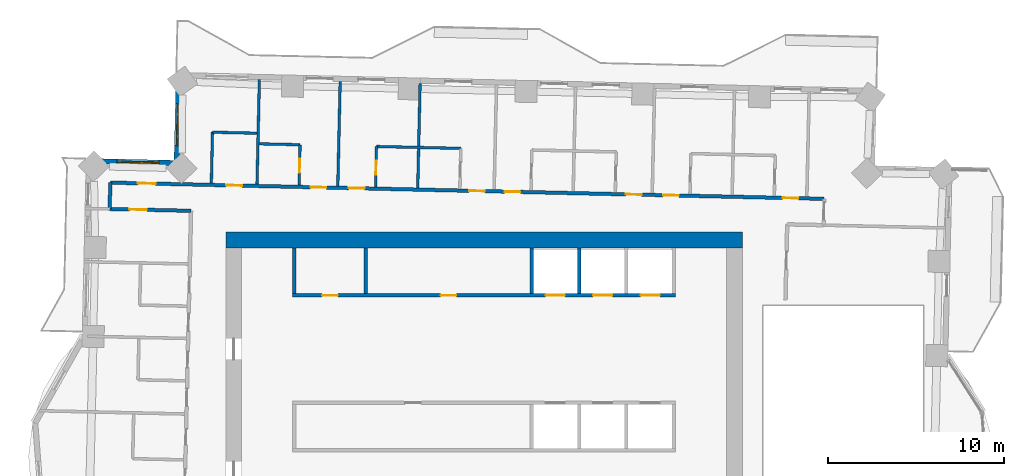
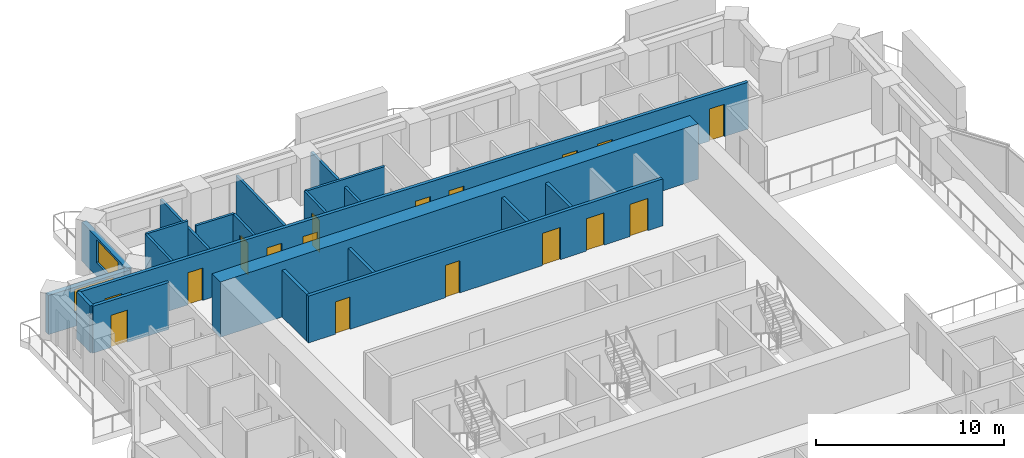
# One storey, part 8 of 14: 20 walls, 17 doors, 2 windows, 19 openings.
"""IFC4 building model written with IfcOpenShell, lengths in metres."""

from ifc_helpers import new_model, si_unit, direction, frame, frame_2d, origin, place, context, subcontext, project, spatial, rectangle, extrude, material, layer, layer_set, type_object, element, fill, save


model = new_model("IFC4")

# Units and contexts
model_context = context("Model", 3, precision=1e-05, world=origin(), true_north=direction((0.0, 1.0)))
body_context = subcontext(model_context, "Body", "Model", "MODEL_VIEW")
ifc_project = project(units=[si_unit("LENGTHUNIT", "METRE"), si_unit("AREAUNIT", "SQUARE_METRE"), si_unit("VOLUMEUNIT", "CUBIC_METRE"), si_unit("PLANEANGLEUNIT", "RADIAN"), si_unit("MASSUNIT", "GRAM", prefix="KILO")], contexts=[model_context])

# Site, building, storey
site_placement = place(None, origin())
site = spatial("IfcSite", under=ifc_project, at=site_placement, CompositionType="ELEMENT")
building_placement = place(site_placement, origin())
building = spatial("IfcBuilding", under=site, at=building_placement, Name="Mangrove Gate Tower", CompositionType="ELEMENT")
storey_placement = place(building_placement, frame((0.0, 0.0, 163.5)))
storey = spatial("IfcBuildingStorey", under=building, at=storey_placement, Name="L41", CompositionType="ELEMENT", Elevation=163.5)

# Walls
ifc_material_1 = material(Name="Concrete C32/40", Category="concrete")
ifc_layer_1 = layer(ifc_material_1, 0.199951171875)
ifc_layer_set_1 = layer_set([ifc_layer_1], Name="Core room wall 200 C32/40")
wall_type_1 = type_object("IfcWallType", Name="Core room wall 200 C32/40", PredefinedType="STANDARD", material=ifc_layer_set_1)
for number, where, z_axis, x_axis, name in (
    (1, (-10.800048828125, 8.199951171875, 0.0), (0.0, 0.0, 1.0), (0.0, 1.0, 0.0), "WALL-L41-CORE-24"),
    (2, (-6.75, 8.199951171875, 0.0), (0.0, 0.0, 1.0), (0.0, 1.0, 0.0), "WALL-L41-CORE-25"),
):
    element("IfcWall", number, at=place(storey_placement, frame(where, z_axis=z_axis, x_axis=x_axis)), inside=storey, type_object=wall_type_1, Name=name, PredefinedType="STANDARD", context=body_context, shape_type="SweptSolid", body=[
        extrude(rectangle(XDim=2.60009765625, YDim=0.199951171875, at=frame_2d((1.300048828125, 0.0))), origin(), (0.0, 0.0, 1.0), 3.050048828125),
    ])

# Wall, openings, doors
ifc_material_2 = material(Name="Concrete C60/75", Category="concrete")
ifc_layer_2 = layer(ifc_material_2, 0.199951171875)
ifc_layer_set_2 = layer_set([ifc_layer_2], Name="Core shaft wall 200 C60/75")
wall_type_2 = type_object("IfcWallType", Name="Core shaft wall 200 C60/75", PredefinedType="SHEAR", material=ifc_layer_set_2)
wall_1_placement = place(storey_placement, frame((-10.89990234375, 8.10009765625, 0.0), z_axis=(0.0, 0.0, 1.0), x_axis=(1.0, 0.0, 0.0)))
wall_1 = element("IfcWall", 3, at=wall_1_placement, inside=storey, type_object=wall_type_2, Name="WALL-L41-CORE-8", PredefinedType="SHEAR", context=body_context, shape_type="SweptSolid", body=[
    extrude(rectangle(XDim=21.7998046875, YDim=0.199951171875, at=frame_2d((10.89990234375, 0.0))), origin(), (0.0, 0.0, 1.0), 3.050048828125),
])
opening_1_placement = place(wall_1_placement, frame((14.39990234375, 0.0, 0.0)))
opening_1 = element("IfcOpeningElement", 4, at=opening_1_placement, cuts=wall_1, Name="Opening LD", PredefinedType="OPENING", context=body_context, shape_type="SweptSolid", body=[
    extrude(rectangle(XDim=1.10009765625, YDim=2.10009765625, at=frame_2d((0.550048828125, 1.050048828125))), frame((0.0, 0.10986328125, 0.0), z_axis=(0.0, -1.0, 0.0), x_axis=(1.0, 0.0, 0.0)), (0.0, 0.0, 1.0), 0.219970703125),
])
opening_2_placement = place(wall_1_placement, frame((17.10009765625, 0.0, 0.0)))
opening_2 = element("IfcOpeningElement", 5, at=opening_2_placement, cuts=wall_1, Name="Opening LD", PredefinedType="OPENING", context=body_context, shape_type="SweptSolid", body=[
    extrude(rectangle(XDim=1.10009765625, YDim=2.10009765625, at=frame_2d((0.550048828125, 1.050048828125))), frame((0.0, 0.10986328125, 0.0), z_axis=(0.0, -1.0, 0.0), x_axis=(1.0, 0.0, 0.0)), (0.0, 0.0, 1.0), 0.219970703125),
])
opening_3_placement = place(wall_1_placement, frame((19.800048828125, 0.0, 0.0)))
opening_3 = element("IfcOpeningElement", 6, at=opening_3_placement, cuts=wall_1, Name="Opening LD", PredefinedType="OPENING", context=body_context, shape_type="SweptSolid", body=[
    extrude(rectangle(XDim=1.10009765625, YDim=2.10009765625, at=frame_2d((0.550048828125, 1.050048828125))), frame((0.0, 0.10986328125, 0.0), z_axis=(0.0, -1.0, 0.0), x_axis=(1.0, 0.0, 0.0)), (0.0, 0.0, 1.0), 0.219970703125),
])
opening_4_placement = place(wall_1_placement, frame((1.675048828125, 0.0, 0.0)))
opening_4 = element("IfcOpeningElement", 7, at=opening_4_placement, cuts=wall_1, Name="Opening KD", PredefinedType="OPENING", context=body_context, shape_type="SweptSolid", body=[
    extrude(rectangle(XDim=0.89990234375, YDim=2.10009765625, at=frame_2d((0.449951171875, 1.050048828125))), frame((0.0, 0.10986328125, 0.0), z_axis=(0.0, -1.0, 0.0), x_axis=(1.0, 0.0, 0.0)), (0.0, 0.0, 1.0), 0.219970703125),
])
opening_5_placement = place(wall_1_placement, frame((8.425048828125, 0.0, 0.0)))
opening_5 = element("IfcOpeningElement", 8, at=opening_5_placement, cuts=wall_1, Name="Opening RD", PredefinedType="OPENING", context=body_context, shape_type="SweptSolid", body=[
    extrude(rectangle(XDim=0.89990234375, YDim=2.10009765625, at=frame_2d((0.449951171875, 1.050048828125))), frame((0.0, 0.10986328125, 0.0), z_axis=(0.0, -1.0, 0.0), x_axis=(1.0, 0.0, 0.0)), (0.0, 0.0, 1.0), 0.219970703125),
])
ifc_material_3 = material(Name="Fire-rated steel door set", Category="steel")
door_type_1 = type_object("IfcDoorType", Name="Core room door FD30S 900x2100", OperationType="SINGLE_SWING_RIGHT", PredefinedType="DOOR", material=ifc_material_3)
door_1_placement = place(opening_4_placement, origin())
door_1 = element("IfcDoor", 9, at=door_1_placement, inside=storey, type_object=door_type_1, Name="Core room door Linen store", OperationType="SINGLE_SWING_RIGHT", OverallHeight=2.10009765625, OverallWidth=0.89990234375, PredefinedType="DOOR", context=body_context, shape_type="SweptSolid", body=[
    extrude(rectangle(XDim=0.89990234375, YDim=2.10009765625, at=frame_2d((0.449951171875, 1.050048828125))), frame((0.0, 0.02490234375, 0.0), z_axis=(0.0, -1.0, 0.0), x_axis=(1.0, 0.0, 0.0)), (0.0, 0.0, 1.0), 0.050048828125),
])
fill(opening_4, door_1)
ifc_material_4 = material(Name="Stainless steel 316", Category="steel")
door_type_2 = type_object("IfcDoorType", Name="Lift landing door 1100x2100", OperationType="SLIDING_TO_LEFT", PredefinedType="DOOR", material=ifc_material_4)
door_2_placement = place(opening_1_placement, origin())
door_2 = element("IfcDoor", 10, at=door_2_placement, inside=storey, type_object=door_type_2, Name="Landing door LD M04", OperationType="SLIDING_TO_LEFT", OverallHeight=2.10009765625, OverallWidth=1.10009765625, PredefinedType="DOOR", context=body_context, shape_type="SweptSolid", body=[
    extrude(rectangle(XDim=1.10009765625, YDim=2.10009765625, at=frame_2d((0.550048828125, 1.050048828125))), frame((0.0, 0.02490234375, 0.0), z_axis=(0.0, -1.0, 0.0), x_axis=(1.0, 0.0, 0.0)), (0.0, 0.0, 1.0), 0.050048828125),
])
fill(opening_1, door_2)
door_3_placement = place(opening_2_placement, origin())
door_3 = element("IfcDoor", 11, at=door_3_placement, inside=storey, type_object=door_type_2, Name="Landing door LD M05", OperationType="SLIDING_TO_LEFT", OverallHeight=2.10009765625, OverallWidth=1.10009765625, PredefinedType="DOOR", context=body_context, shape_type="SweptSolid", body=[
    extrude(rectangle(XDim=1.10009765625, YDim=2.10009765625, at=frame_2d((0.550048828125, 1.050048828125))), frame((0.0, 0.02490234375, 0.0), z_axis=(0.0, -1.0, 0.0), x_axis=(1.0, 0.0, 0.0)), (0.0, 0.0, 1.0), 0.050048828125),
])
fill(opening_2, door_3)
door_4_placement = place(opening_3_placement, origin())
door_4 = element("IfcDoor", 12, at=door_4_placement, inside=storey, type_object=door_type_2, Name="Landing door LD M06", OperationType="SLIDING_TO_LEFT", OverallHeight=2.10009765625, OverallWidth=1.10009765625, PredefinedType="DOOR", context=body_context, shape_type="SweptSolid", body=[
    extrude(rectangle(XDim=1.10009765625, YDim=2.10009765625, at=frame_2d((0.550048828125, 1.050048828125))), frame((0.0, 0.02490234375, 0.0), z_axis=(0.0, -1.0, 0.0), x_axis=(1.0, 0.0, 0.0)), (0.0, 0.0, 1.0), 0.050048828125),
])
fill(opening_3, door_4)
ifc_material_5 = material(Name="Fire-rated steel door set", Category="steel")
door_type_3 = type_object("IfcDoorType", Name="Riser door FD30S 900x2100", OperationType="SINGLE_SWING_LEFT", PredefinedType="DOOR", material=ifc_material_5)
door_5_placement = place(opening_5_placement, origin())
door_5 = element("IfcDoor", 13, at=door_5_placement, inside=storey, type_object=door_type_3, Name="Riser door Switch room", OperationType="SINGLE_SWING_LEFT", OverallHeight=2.10009765625, OverallWidth=0.89990234375, PredefinedType="DOOR", context=body_context, shape_type="SweptSolid", body=[
    extrude(rectangle(XDim=0.89990234375, YDim=2.10009765625, at=frame_2d((0.449951171875, 1.050048828125))), frame((0.0, 0.02490234375, 0.0), z_axis=(0.0, -1.0, 0.0), x_axis=(1.0, 0.0, 0.0)), (0.0, 0.0, 1.0), 0.050048828125),
])
fill(opening_5, door_5)

# Walls
for number, where, z_axis, x_axis, name in (
    (14, (2.699951171875, 8.199951171875, 0.0), (0.0, 0.0, 1.0), (0.0, 1.0, 0.0), "WALL-L41-CORE-26"),
    (15, (5.39990234375, 8.199951171875, 0.0), (0.0, 0.0, 1.0), (0.0, 1.0, 0.0), "WALL-L41-CORE-27"),
):
    element("IfcWall", number, at=place(storey_placement, frame(where, z_axis=z_axis, x_axis=x_axis)), inside=storey, type_object=wall_type_2, Name=name, PredefinedType="SHEAR", context=body_context, shape_type="SweptSolid", body=[
        extrude(rectangle(XDim=2.60009765625, YDim=0.199951171875, at=frame_2d((1.300048828125, 0.0))), origin(), (0.0, 0.0, 1.0), 3.050048828125),
    ])
ifc_material_6 = material(Name="Concrete C60/75", Category="concrete")
ifc_layer_3 = layer(ifc_material_6, 0.89990234375)
ifc_layer_set_3 = layer_set([ifc_layer_3], Name="Core wall 900 C60/75")
wall_type_3 = type_object("IfcWallType", Name="Core wall 900 C60/75", PredefinedType="SHEAR", material=ifc_layer_set_3)
wall_2_placement = place(storey_placement, frame((-14.699951171875, 11.25, 0.0), z_axis=(0.0, 0.0, 1.0), x_axis=(1.0, 0.0, 0.0)))
element("IfcWall", 16, at=wall_2_placement, inside=storey, type_object=wall_type_3, Name="WALL-L41-CORE-2", PredefinedType="SHEAR", context=body_context, shape_type="SweptSolid", body=[
    extrude(rectangle(XDim=29.39990234375, YDim=0.89990234375, at=frame_2d((14.699951171875, 0.0))), origin(), (0.0, 0.0, 1.0), 3.60009765625),
])

# Wall, opening, door
ifc_material_7 = material(Name="Gypsum board on steel stud, EI 60", Category="steel")
ifc_layer_4 = layer(ifc_material_7, 0.199951171875)
ifc_layer_set_4 = layer_set([ifc_layer_4], Name="Corridor wall EI 60")
wall_type_4 = type_object("IfcWallType", Name="Corridor wall EI 60", PredefinedType="PARTITIONING", material=ifc_layer_set_4)
wall_3_placement = place(storey_placement, frame((-21.31298828125, 13.02392578125, 0.0), z_axis=(0.0, 0.0, 1.0), x_axis=(0.999738699021, -0.022858995594, 0.0)))
wall_3 = element("IfcWall", 17, at=wall_3_placement, inside=storey, type_object=wall_type_4, Name="WALL-L41-052", PredefinedType="PARTITIONING", context=body_context, shape_type="SweptSolid", body=[
    extrude(rectangle(XDim=4.63525390625, YDim=0.199951171875, at=frame_2d((2.317626953125, 0.0))), origin(), (0.0, 0.0, 1.0), 3.050048828125),
])
opening_6_placement = place(wall_3_placement, frame((1.116943359375, 0.0, 0.0)))
opening_6 = element("IfcOpeningElement", 18, at=opening_6_placement, cuts=wall_3, Name="Opening AD", PredefinedType="OPENING", context=body_context, shape_type="SweptSolid", body=[
    extrude(rectangle(XDim=1.0, YDim=2.10009765625, at=frame_2d((0.5, 1.050048828125))), frame((0.0, 0.10986328125, 0.0), z_axis=(0.0, -1.0, 0.0), x_axis=(1.0, 0.0, 0.0)), (0.0, 0.0, 1.0), 0.219970703125),
])
ifc_material_8 = material(Name="Timber door leaf", Category="wood")
door_type_4 = type_object("IfcDoorType", Name="Amenity door 1000", OperationType="SINGLE_SWING_LEFT", PredefinedType="DOOR", material=ifc_material_8)
door_6_placement = place(opening_6_placement, origin())
door_6 = element("IfcDoor", 19, at=door_6_placement, inside=storey, type_object=door_type_4, Name="DOOR-L41-STU-c5a", OperationType="SINGLE_SWING_RIGHT", OverallHeight=2.10009765625, OverallWidth=1.0, PredefinedType="DOOR", context=body_context, shape_type="SweptSolid", body=[
    extrude(rectangle(XDim=1.0, YDim=2.10009765625, at=frame_2d((0.5, 1.050048828125))), frame((0.0, 0.02490234375, 0.0), z_axis=(0.0, -1.0, 0.0), x_axis=(1.0, 0.0, 0.0)), (0.0, 0.0, 1.0), 0.050048828125),
])
fill(opening_6, door_6)

# Wall
wall_4_placement = place(storey_placement, frame((-21.31298828125, 13.02392578125, 0.0), z_axis=(0.0, 0.0, 1.0), x_axis=(0.022632637625, 0.99974384905, 0.0)))
element("IfcWall", 20, at=wall_4_placement, inside=storey, type_object=wall_type_4, Name="WALL-L41-053", PredefinedType="PARTITIONING", context=body_context, shape_type="SweptSolid", body=[
    extrude(rectangle(XDim=1.49951171875, YDim=0.199951171875, at=frame_2d((0.749755859375, 0.0))), origin(), (0.0, 0.0, 1.0), 3.050048828125),
])

# Wall, openings, doors
wall_5_placement = place(storey_placement, frame((-21.279052734375, 14.52294921875, 0.0), z_axis=(0.0, 0.0, 1.0), x_axis=(0.999742669174, -0.02268469602, 0.0)))
wall_5 = element("IfcWall", 21, at=wall_5_placement, inside=storey, type_object=wall_type_4, Name="WALL-L41-057", PredefinedType="PARTITIONING", context=body_context, shape_type="SweptSolid", body=[
    extrude(rectangle(XDim=40.638671875, YDim=0.199951171875, at=frame_2d((20.3193359375, 0.0))), origin(), (0.0, 0.0, 1.0), 3.050048828125),
])
opening_7_placement = place(wall_5_placement, frame((38.27490234375, 0.0, 0.0)))
opening_7 = element("IfcOpeningElement", 22, at=opening_7_placement, cuts=wall_5, Name="Opening BD", PredefinedType="OPENING", context=body_context, shape_type="SweptSolid", body=[
    extrude(rectangle(XDim=0.89990234375, YDim=2.10009765625, at=frame_2d((0.449951171875, 1.050048828125))), frame((0.0, 0.10986328125, 0.0), z_axis=(0.0, -1.0, 0.0), x_axis=(1.0, 0.0, 0.0)), (0.0, 0.0, 1.0), 0.219970703125),
])
opening_8_placement = place(wall_5_placement, frame((31.47509765625, 0.0, 0.0)))
opening_8 = element("IfcOpeningElement", 23, at=opening_8_placement, cuts=wall_5, Name="Opening BD", PredefinedType="OPENING", context=body_context, shape_type="SweptSolid", body=[
    extrude(rectangle(XDim=0.89990234375, YDim=2.10009765625, at=frame_2d((0.449951171875, 1.050048828125))), frame((0.0, 0.10986328125, 0.0), z_axis=(0.0, -1.0, 0.0), x_axis=(1.0, 0.0, 0.0)), (0.0, 0.0, 1.0), 0.219970703125),
])
opening_9_placement = place(wall_5_placement, frame((29.35009765625, 0.0, 0.0)))
opening_9 = element("IfcOpeningElement", 24, at=opening_9_placement, cuts=wall_5, Name="Opening BD", PredefinedType="OPENING", context=body_context, shape_type="SweptSolid", body=[
    extrude(rectangle(XDim=0.89990234375, YDim=2.10009765625, at=frame_2d((0.449951171875, 1.050048828125))), frame((0.0, 0.10986328125, 0.0), z_axis=(0.0, -1.0, 0.0), x_axis=(1.0, 0.0, 0.0)), (0.0, 0.0, 1.0), 0.219970703125),
])
opening_10_placement = place(wall_5_placement, frame((22.449951171875, 0.0, 0.0)))
opening_10 = element("IfcOpeningElement", 25, at=opening_10_placement, cuts=wall_5, Name="Opening BD", PredefinedType="OPENING", context=body_context, shape_type="SweptSolid", body=[
    extrude(rectangle(XDim=0.89990234375, YDim=2.10009765625, at=frame_2d((0.449951171875, 1.050048828125))), frame((0.0, 0.10986328125, 0.0), z_axis=(0.0, -1.0, 0.0), x_axis=(1.0, 0.0, 0.0)), (0.0, 0.0, 1.0), 0.219970703125),
])
opening_11_placement = place(wall_5_placement, frame((20.425048828125, 0.0, 0.0)))
opening_11 = element("IfcOpeningElement", 26, at=opening_11_placement, cuts=wall_5, Name="Opening BD", PredefinedType="OPENING", context=body_context, shape_type="SweptSolid", body=[
    extrude(rectangle(XDim=0.89990234375, YDim=2.10009765625, at=frame_2d((0.449951171875, 1.050048828125))), frame((0.0, 0.10986328125, 0.0), z_axis=(0.0, -1.0, 0.0), x_axis=(1.0, 0.0, 0.0)), (0.0, 0.0, 1.0), 0.219970703125),
])
opening_12_placement = place(wall_5_placement, frame((13.574951171875, 0.0, 0.0)))
opening_12 = element("IfcOpeningElement", 27, at=opening_12_placement, cuts=wall_5, Name="Opening BD", PredefinedType="OPENING", context=body_context, shape_type="SweptSolid", body=[
    extrude(rectangle(XDim=0.89990234375, YDim=2.10009765625, at=frame_2d((0.449951171875, 1.050048828125))), frame((0.0, 0.10986328125, 0.0), z_axis=(0.0, -1.0, 0.0), x_axis=(1.0, 0.0, 0.0)), (0.0, 0.0, 1.0), 0.219970703125),
])
opening_13_placement = place(wall_5_placement, frame((11.39990234375, 0.0, 0.0)))
opening_13 = element("IfcOpeningElement", 28, at=opening_13_placement, cuts=wall_5, Name="Opening BD", PredefinedType="OPENING", context=body_context, shape_type="SweptSolid", body=[
    extrude(rectangle(XDim=0.89990234375, YDim=2.10009765625, at=frame_2d((0.449951171875, 1.050048828125))), frame((0.0, 0.10986328125, 0.0), z_axis=(0.0, -1.0, 0.0), x_axis=(1.0, 0.0, 0.0)), (0.0, 0.0, 1.0), 0.219970703125),
])
opening_14_placement = place(wall_5_placement, frame((1.574951171875, 0.0, 0.0)))
opening_14 = element("IfcOpeningElement", 29, at=opening_14_placement, cuts=wall_5, Name="Opening AD", PredefinedType="OPENING", context=body_context, shape_type="SweptSolid", body=[
    extrude(rectangle(XDim=1.0, YDim=2.10009765625, at=frame_2d((0.5, 1.050048828125))), frame((0.0, 0.10986328125, 0.0), z_axis=(0.0, -1.0, 0.0), x_axis=(1.0, 0.0, 0.0)), (0.0, 0.0, 1.0), 0.219970703125),
])
opening_15_placement = place(wall_5_placement, frame((6.60009765625, 0.0, 0.0)))
opening_15 = element("IfcOpeningElement", 30, at=opening_15_placement, cuts=wall_5, Name="Opening SD", PredefinedType="OPENING", context=body_context, shape_type="SweptSolid", body=[
    extrude(rectangle(XDim=0.89990234375, YDim=2.10009765625, at=frame_2d((0.449951171875, 1.050048828125))), frame((0.0, 0.10986328125, 0.0), z_axis=(0.0, -1.0, 0.0), x_axis=(1.0, 0.0, 0.0)), (0.0, 0.0, 1.0), 0.219970703125),
])
door_7_placement = place(opening_14_placement, origin())
door_7 = element("IfcDoor", 31, at=door_7_placement, inside=storey, type_object=door_type_4, Name="DOOR-L41-KIT-c5a", OperationType="SINGLE_SWING_LEFT", OverallHeight=2.10009765625, OverallWidth=1.0, PredefinedType="DOOR", context=body_context, shape_type="SweptSolid", body=[
    extrude(rectangle(XDim=1.0, YDim=2.10009765625, at=frame_2d((0.5, 1.050048828125))), frame((0.0, 0.02490234375, 0.0), z_axis=(0.0, -1.0, 0.0), x_axis=(1.0, 0.0, 0.0)), (0.0, 0.0, 1.0), 0.050048828125),
])
fill(opening_14, door_7)
ifc_material_9 = material(Name="Timber door leaf", Category="wood")
door_type_5 = type_object("IfcDoorType", Name="Bedroom door 900", OperationType="SINGLE_SWING_LEFT", PredefinedType="DOOR", material=ifc_material_9)
door_8_placement = place(opening_7_placement, origin())
door_8 = element("IfcDoor", 32, at=door_8_placement, inside=storey, type_object=door_type_5, Name="DOOR-L41-BED-c308", OperationType="SINGLE_SWING_RIGHT", OverallHeight=2.10009765625, OverallWidth=0.89990234375, PredefinedType="DOOR", context=body_context, shape_type="SweptSolid", body=[
    extrude(rectangle(XDim=0.89990234375, YDim=2.10009765625, at=frame_2d((0.449951171875, 1.050048828125))), frame((0.0, 0.02490234375, 0.0), z_axis=(0.0, -1.0, 0.0), x_axis=(1.0, 0.0, 0.0)), (0.0, 0.0, 1.0), 0.050048828125),
])
fill(opening_7, door_8)
door_9_placement = place(opening_8_placement, origin())
door_9 = element("IfcDoor", 33, at=door_9_placement, inside=storey, type_object=door_type_5, Name="DOOR-L41-BED-c309", OperationType="SINGLE_SWING_LEFT", OverallHeight=2.10009765625, OverallWidth=0.89990234375, PredefinedType="DOOR", context=body_context, shape_type="SweptSolid", body=[
    extrude(rectangle(XDim=0.89990234375, YDim=2.10009765625, at=frame_2d((0.449951171875, 1.050048828125))), frame((0.0, 0.02490234375, 0.0), z_axis=(0.0, -1.0, 0.0), x_axis=(1.0, 0.0, 0.0)), (0.0, 0.0, 1.0), 0.050048828125),
])
fill(opening_8, door_9)
door_10_placement = place(opening_9_placement, origin())
door_10 = element("IfcDoor", 34, at=door_10_placement, inside=storey, type_object=door_type_5, Name="DOOR-L41-BED-c410", OperationType="SINGLE_SWING_RIGHT", OverallHeight=2.10009765625, OverallWidth=0.89990234375, PredefinedType="DOOR", context=body_context, shape_type="SweptSolid", body=[
    extrude(rectangle(XDim=0.89990234375, YDim=2.10009765625, at=frame_2d((0.449951171875, 1.050048828125))), frame((0.0, 0.02490234375, 0.0), z_axis=(0.0, -1.0, 0.0), x_axis=(1.0, 0.0, 0.0)), (0.0, 0.0, 1.0), 0.050048828125),
])
fill(opening_9, door_10)
door_11_placement = place(opening_10_placement, origin())
door_11 = element("IfcDoor", 35, at=door_11_placement, inside=storey, type_object=door_type_5, Name="DOOR-L41-BED-c411", OperationType="SINGLE_SWING_LEFT", OverallHeight=2.10009765625, OverallWidth=0.89990234375, PredefinedType="DOOR", context=body_context, shape_type="SweptSolid", body=[
    extrude(rectangle(XDim=0.89990234375, YDim=2.10009765625, at=frame_2d((0.449951171875, 1.050048828125))), frame((0.0, 0.02490234375, 0.0), z_axis=(0.0, -1.0, 0.0), x_axis=(1.0, 0.0, 0.0)), (0.0, 0.0, 1.0), 0.050048828125),
])
fill(opening_10, door_11)
door_12_placement = place(opening_11_placement, origin())
door_12 = element("IfcDoor", 36, at=door_12_placement, inside=storey, type_object=door_type_5, Name="DOOR-L41-BED-c412", OperationType="SINGLE_SWING_RIGHT", OverallHeight=2.10009765625, OverallWidth=0.89990234375, PredefinedType="DOOR", context=body_context, shape_type="SweptSolid", body=[
    extrude(rectangle(XDim=0.89990234375, YDim=2.10009765625, at=frame_2d((0.449951171875, 1.050048828125))), frame((0.0, 0.02490234375, 0.0), z_axis=(0.0, -1.0, 0.0), x_axis=(1.0, 0.0, 0.0)), (0.0, 0.0, 1.0), 0.050048828125),
])
fill(opening_11, door_12)
door_13_placement = place(opening_12_placement, origin())
door_13 = element("IfcDoor", 37, at=door_13_placement, inside=storey, type_object=door_type_5, Name="DOOR-L41-BED-c513", OperationType="SINGLE_SWING_LEFT", OverallHeight=2.10009765625, OverallWidth=0.89990234375, PredefinedType="DOOR", context=body_context, shape_type="SweptSolid", body=[
    extrude(rectangle(XDim=0.89990234375, YDim=2.10009765625, at=frame_2d((0.449951171875, 1.050048828125))), frame((0.0, 0.02490234375, 0.0), z_axis=(0.0, -1.0, 0.0), x_axis=(1.0, 0.0, 0.0)), (0.0, 0.0, 1.0), 0.050048828125),
])
fill(opening_12, door_13)
door_14_placement = place(opening_13_placement, origin())
door_14 = element("IfcDoor", 38, at=door_14_placement, inside=storey, type_object=door_type_5, Name="DOOR-L41-BED-c514", OperationType="SINGLE_SWING_RIGHT", OverallHeight=2.10009765625, OverallWidth=0.89990234375, PredefinedType="DOOR", context=body_context, shape_type="SweptSolid", body=[
    extrude(rectangle(XDim=0.89990234375, YDim=2.10009765625, at=frame_2d((0.449951171875, 1.050048828125))), frame((0.0, 0.02490234375, 0.0), z_axis=(0.0, -1.0, 0.0), x_axis=(1.0, 0.0, 0.0)), (0.0, 0.0, 1.0), 0.050048828125),
])
fill(opening_13, door_14)
ifc_material_10 = material(Name="Timber door leaf", Category="wood")
door_type_6 = type_object("IfcDoorType", Name="Service room door 900", OperationType="SINGLE_SWING_LEFT", PredefinedType="DOOR", material=ifc_material_10)
door_15_placement = place(opening_15_placement, origin())
door_15 = element("IfcDoor", 39, at=door_15_placement, inside=storey, type_object=door_type_6, Name="DOOR-L41-AWC-c5a", OperationType="SINGLE_SWING_LEFT", OverallHeight=2.10009765625, OverallWidth=0.89990234375, PredefinedType="DOOR", context=body_context, shape_type="SweptSolid", body=[
    extrude(rectangle(XDim=0.89990234375, YDim=2.10009765625, at=frame_2d((0.449951171875, 1.050048828125))), frame((0.0, 0.02490234375, 0.0), z_axis=(0.0, -1.0, 0.0), x_axis=(1.0, 0.0, 0.0)), (0.0, 0.0, 1.0), 0.050048828125),
])
fill(opening_15, door_15)

# Wall, opening, window
ifc_material_11 = material(Name="Limestone", Category="masonry")
ifc_layer_5 = layer(ifc_material_11, 0.0400390625, Name="Limestone cladding")
ifc_material_12 = material(Name="Ventilated air gap")
ifc_layer_6 = layer(ifc_material_12, 0.0400390625, Name="Ventilated cavity")
ifc_material_13 = material(Name="Mineral wool insulation")
ifc_layer_7 = layer(ifc_material_13, 0.06005859375, Name="Insulation")
ifc_material_14 = material(Name="Breather membrane")
ifc_layer_8 = layer(ifc_material_14, 0.001953125, Name="Breather membrane")
ifc_material_15 = material(Name="Concrete C20/25 blockwork", Category="masonry")
ifc_layer_9 = layer(ifc_material_15, 0.14990234375, Name="Blockwork backing wall")
ifc_material_16 = material(Name="Gypsum plaster")
ifc_layer_10 = layer(ifc_material_16, 0.008056640625, Name="Internal plaster")
ifc_layer_set_5 = layer_set([ifc_layer_5, ifc_layer_6, ifc_layer_7, ifc_layer_8, ifc_layer_9, ifc_layer_10], Name="External wall 300 limestone cladding")
wall_type_5 = type_object("IfcWallType", Name="External wall 300 limestone cladding", PredefinedType="SOLIDWALL", material=ifc_layer_set_5)
wall_6_placement = place(storey_placement, frame((-17.388916015625, 20.636962890625, 0.0), z_axis=(0.0, 0.0, 1.0), x_axis=(-0.022801259434, -0.999740017489, 0.0)))
wall_6 = element("IfcWall", 40, at=wall_6_placement, inside=storey, type_object=wall_type_5, Name="WALL-L41-W6", PredefinedType="SOLIDWALL", context=body_context, shape_type="SweptSolid", body=[
    extrude(rectangle(XDim=5.000244140625, YDim=0.300048828125, at=frame_2d((2.5, 0.0))), origin(), (0.0, 0.0, 1.0), 2.550048828125),
])
opening_16_placement = place(wall_6_placement, frame((1.615966796875, 0.0, 0.89990234375)))
opening_16 = element("IfcOpeningElement", 41, at=opening_16_placement, cuts=wall_6, Name="Opening W2", PredefinedType="OPENING", context=body_context, shape_type="SweptSolid", body=[
    extrude(rectangle(XDim=2.39990234375, YDim=1.5, at=frame_2d((1.199951171875, 0.75))), frame((0.0, 0.159912109375, 0.0), z_axis=(0.0, -1.0, 0.0), x_axis=(1.0, 0.0, 0.0)), (0.0, 0.0, 1.0), 0.320068359375),
])
ifc_material_17 = material(Name="Aluminium frame with double-glazed low-e glass", Category="aluminium")
window_type = type_object("IfcWindowType", Name="Corner room window 2400x1500", PartitioningType="DOUBLE_PANEL_VERTICAL", PredefinedType="WINDOW", material=ifc_material_17)
window_1_placement = place(opening_16_placement, origin())
window_1 = element("IfcWindow", 42, at=window_1_placement, inside=storey, type_object=window_type, Name="WIN-L41-W6-1", OverallHeight=1.5, OverallWidth=2.39990234375, PartitioningType="DOUBLE_PANEL_VERTICAL", PredefinedType="WINDOW", context=body_context, shape_type="SweptSolid", body=[
    extrude(rectangle(XDim=2.39990234375, YDim=1.5, at=frame_2d((1.199951171875, 0.75))), frame((0.0, 0.030029296875, 0.0), z_axis=(0.0, -1.0, 0.0), x_axis=(1.0, 0.0, 0.0)), (0.0, 0.0, 1.0), 0.06005859375),
])
fill(opening_16, window_1)

wall_7_placement = place(storey_placement, frame((-17.5029296875, 15.637939453125, 0.0), z_axis=(0.0, 0.0, 1.0), x_axis=(-0.999744350543, 0.022610474516, 0.0)))
wall_7 = element("IfcWall", 43, at=wall_7_placement, inside=storey, type_object=wall_type_5, Name="WALL-L41-N7", PredefinedType="SOLIDWALL", context=body_context, shape_type="SweptSolid", body=[
    extrude(rectangle(XDim=4.999267578125, YDim=0.300048828125, at=frame_2d((2.49951171875, 0.0))), origin(), (0.0, 0.0, 1.0), 2.550048828125),
])
opening_17_placement = place(wall_7_placement, frame((1.007080078125, 0.0, 0.89990234375)))
opening_17 = element("IfcOpeningElement", 44, at=opening_17_placement, cuts=wall_7, Name="Opening W2", PredefinedType="OPENING", context=body_context, shape_type="SweptSolid", body=[
    extrude(rectangle(XDim=2.39990234375, YDim=1.5, at=frame_2d((1.199951171875, 0.75))), frame((0.0, 0.159912109375, 0.0), z_axis=(0.0, -1.0, 0.0), x_axis=(1.0, 0.0, 0.0)), (0.0, 0.0, 1.0), 0.320068359375),
])
window_2_placement = place(opening_17_placement, origin())
window_2 = element("IfcWindow", 45, at=window_2_placement, inside=storey, type_object=window_type, Name="WIN-L41-N7-1", OverallHeight=1.5, OverallWidth=2.39990234375, PartitioningType="DOUBLE_PANEL_VERTICAL", PredefinedType="WINDOW", context=body_context, shape_type="SweptSolid", body=[
    extrude(rectangle(XDim=2.39990234375, YDim=1.5, at=frame_2d((1.199951171875, 0.75))), frame((0.0, 0.030029296875, 0.0), z_axis=(0.0, -1.0, 0.0), x_axis=(1.0, 0.0, 0.0)), (0.0, 0.0, 1.0), 0.06005859375),
])
fill(opening_17, window_2)

# Walls
ifc_material_18 = material(Name="Gypsum board on steel stud, EI 60", Category="steel")
ifc_layer_11 = layer(ifc_material_18, 0.14990234375)
ifc_layer_set_6 = layer_set([ifc_layer_11], Name="Party wall 150 EI 60")
wall_type_6 = type_object("IfcWallType", Name="Party wall 150 EI 60", PredefinedType="PARTITIONING", material=ifc_layer_set_6)
wall_8_placement = place(storey_placement, frame((-15.528076171875, 14.492919921875, 0.0), z_axis=(0.0, 0.0, 1.0), x_axis=(0.022815112345, 0.999739701447, 0.0)))
element("IfcWall", 46, at=wall_8_placement, inside=storey, type_object=wall_type_6, Name="WALL-L41-058", PredefinedType="PARTITIONING", context=body_context, shape_type="SweptSolid", body=[
    extrude(rectangle(XDim=2.89990234375, YDim=0.14990234375, at=frame_2d((1.449951171875, 0.0))), origin(), (0.0, 0.0, 1.0), 3.050048828125),
])
wall_9_placement = place(storey_placement, frame((-12.928955078125, 14.43408203125, 0.0), z_axis=(0.0, 0.0, 1.0), x_axis=(0.022688785847, 0.999742576365, 0.0)))
element("IfcWall", 47, at=wall_9_placement, inside=storey, type_object=wall_type_6, Name="WALL-L41-059", PredefinedType="PARTITIONING", context=body_context, shape_type="SweptSolid", body=[
    extrude(rectangle(XDim=5.950439453125, YDim=0.14990234375, at=frame_2d((2.97509765625, 0.0))), origin(), (0.0, 0.0, 1.0), 2.550048828125),
])

# Wall, opening, door
wall_10_placement = place(storey_placement, frame((-10.529052734375, 14.37890625, 0.0), z_axis=(0.0, 0.0, 1.0), x_axis=(0.022603288534, 0.999744513037, 0.0)))
wall_10 = element("IfcWall", 48, at=wall_10_placement, inside=storey, type_object=wall_type_6, Name="WALL-L41-060", PredefinedType="PARTITIONING", context=body_context, shape_type="SweptSolid", body=[
    extrude(rectangle(XDim=2.300537109375, YDim=0.14990234375, at=frame_2d((1.150390625, 0.0))), origin(), (0.0, 0.0, 1.0), 3.050048828125),
])
opening_18_placement = place(wall_10_placement, frame((0.699951171875, 0.0, 0.0)))
opening_18 = element("IfcOpeningElement", 49, at=opening_18_placement, cuts=wall_10, Name="Opening ED", PredefinedType="OPENING", context=body_context, shape_type="SweptSolid", body=[
    extrude(rectangle(XDim=0.800048828125, YDim=2.10009765625, at=frame_2d((0.39990234375, 1.050048828125))), frame((0.0, 0.0849609375, 0.0), z_axis=(0.0, -1.0, 0.0), x_axis=(1.0, 0.0, 0.0)), (0.0, 0.0, 1.0), 0.169921875),
])
ifc_material_19 = material(Name="Timber door leaf", Category="wood")
door_type_7 = type_object("IfcDoorType", Name="En-suite door 800", OperationType="SINGLE_SWING_LEFT", PredefinedType="DOOR", material=ifc_material_19)
door_16_placement = place(opening_18_placement, origin())
door_16 = element("IfcDoor", 50, at=door_16_placement, inside=storey, type_object=door_type_7, Name="DOOR-L41-ENS-c514", OperationType="SINGLE_SWING_RIGHT", OverallHeight=2.10009765625, OverallWidth=0.800048828125, PredefinedType="DOOR", context=body_context, shape_type="SweptSolid", body=[
    extrude(rectangle(XDim=0.800048828125, YDim=2.10009765625, at=frame_2d((0.39990234375, 1.050048828125))), frame((0.0, 0.02490234375, 0.0), z_axis=(0.0, -1.0, 0.0), x_axis=(1.0, 0.0, 0.0)), (0.0, 0.0, 1.0), 0.050048828125),
])
fill(opening_18, door_16)

# Wall
wall_11_placement = place(storey_placement, frame((-8.330078125, 14.3291015625, 0.0), z_axis=(0.0, 0.0, 1.0), x_axis=(0.022688785847, 0.999742576365, 0.0)))
element("IfcWall", 51, at=wall_11_placement, inside=storey, type_object=wall_type_6, Name="WALL-L41-061", PredefinedType="PARTITIONING", context=body_context, shape_type="SweptSolid", body=[
    extrude(rectangle(XDim=5.950439453125, YDim=0.14990234375, at=frame_2d((2.97509765625, 0.0))), origin(), (0.0, 0.0, 1.0), 2.550048828125),
])

# Wall, opening, door
wall_12_placement = place(storey_placement, frame((-6.180908203125, 14.281005859375, 0.0), z_axis=(0.0, 0.0, 1.0), x_axis=(0.023037316498, 0.999734605807, 0.0)))
wall_12 = element("IfcWall", 52, at=wall_12_placement, inside=storey, type_object=wall_type_6, Name="WALL-L41-062", PredefinedType="PARTITIONING", context=body_context, shape_type="SweptSolid", body=[
    extrude(rectangle(XDim=2.299560546875, YDim=0.14990234375, at=frame_2d((1.14990234375, 0.0))), origin(), (0.0, 0.0, 1.0), 3.050048828125),
])
opening_19_placement = place(wall_12_placement, frame((0.699951171875, 0.0, 0.0)))
opening_19 = element("IfcOpeningElement", 53, at=opening_19_placement, cuts=wall_12, Name="Opening ED", PredefinedType="OPENING", context=body_context, shape_type="SweptSolid", body=[
    extrude(rectangle(XDim=0.800048828125, YDim=2.10009765625, at=frame_2d((0.39990234375, 1.050048828125))), frame((0.0, 0.0849609375, 0.0), z_axis=(0.0, -1.0, 0.0), x_axis=(1.0, 0.0, 0.0)), (0.0, 0.0, 1.0), 0.169921875),
])
door_17_placement = place(opening_19_placement, origin())
door_17 = element("IfcDoor", 54, at=door_17_placement, inside=storey, type_object=door_type_7, Name="DOOR-L41-ENS-c513", OperationType="SINGLE_SWING_LEFT", OverallHeight=2.10009765625, OverallWidth=0.800048828125, PredefinedType="DOOR", context=body_context, shape_type="SweptSolid", body=[
    extrude(rectangle(XDim=0.800048828125, YDim=2.10009765625, at=frame_2d((0.39990234375, 1.050048828125))), frame((0.0, 0.02490234375, 0.0), z_axis=(0.0, -1.0, 0.0), x_axis=(1.0, 0.0, 0.0)), (0.0, 0.0, 1.0), 0.050048828125),
])
fill(opening_19, door_17)

# Walls
wall_13_placement = place(storey_placement, frame((-3.781005859375, 14.22607421875, 0.0), z_axis=(0.0, 0.0, 1.0), x_axis=(0.022688785847, 0.999742576365, 0.0)))
element("IfcWall", 55, at=wall_13_placement, inside=storey, type_object=wall_type_6, Name="WALL-L41-063", PredefinedType="PARTITIONING", context=body_context, shape_type="SweptSolid", body=[
    extrude(rectangle(XDim=5.950439453125, YDim=0.14990234375, at=frame_2d((2.97509765625, 0.0))), origin(), (0.0, 0.0, 1.0), 2.550048828125),
])
wall_14_placement = place(storey_placement, frame((-12.802001953125, 16.73095703125, 0.0), z_axis=(0.0, 0.0, 1.0), x_axis=(0.999749954681, -0.022361308448, 0.0)))
element("IfcWall", 56, at=wall_14_placement, inside=storey, type_object=wall_type_6, Name="WALL-L41-074", PredefinedType="PARTITIONING", context=body_context, shape_type="SweptSolid", body=[
    extrude(rectangle(XDim=2.325439453125, YDim=0.14990234375, at=frame_2d((1.16259765625, 0.0))), origin(), (0.0, 0.0, 1.0), 3.050048828125),
])
wall_15_placement = place(storey_placement, frame((-6.1279296875, 16.580078125, 0.0), z_axis=(0.0, 0.0, 1.0), x_axis=(0.999741415159, -0.022739894798, 0.0)))
element("IfcWall", 57, at=wall_15_placement, inside=storey, type_object=wall_type_6, Name="WALL-L41-075", PredefinedType="PARTITIONING", context=body_context, shape_type="SweptSolid", body=[
    extrude(rectangle(XDim=4.799072265625, YDim=0.14990234375, at=frame_2d((2.3994140625, 0.0))), origin(), (0.0, 0.0, 1.0), 3.050048828125),
])
wall_16_placement = place(storey_placement, frame((-15.4619140625, 17.39208984375, 0.0), z_axis=(0.0, 0.0, 1.0), x_axis=(0.99974392816, -0.022629142889, 0.0)))
element("IfcWall", 58, at=wall_16_placement, inside=storey, type_object=wall_type_6, Name="WALL-L41-078", PredefinedType="PARTITIONING", context=body_context, shape_type="SweptSolid", body=[
    extrude(rectangle(XDim=2.524658203125, YDim=0.14990234375, at=frame_2d((1.26220703125, 0.0))), origin(), (0.0, 0.0, 1.0), 3.050048828125),
])

save(model, "model.ifc")
